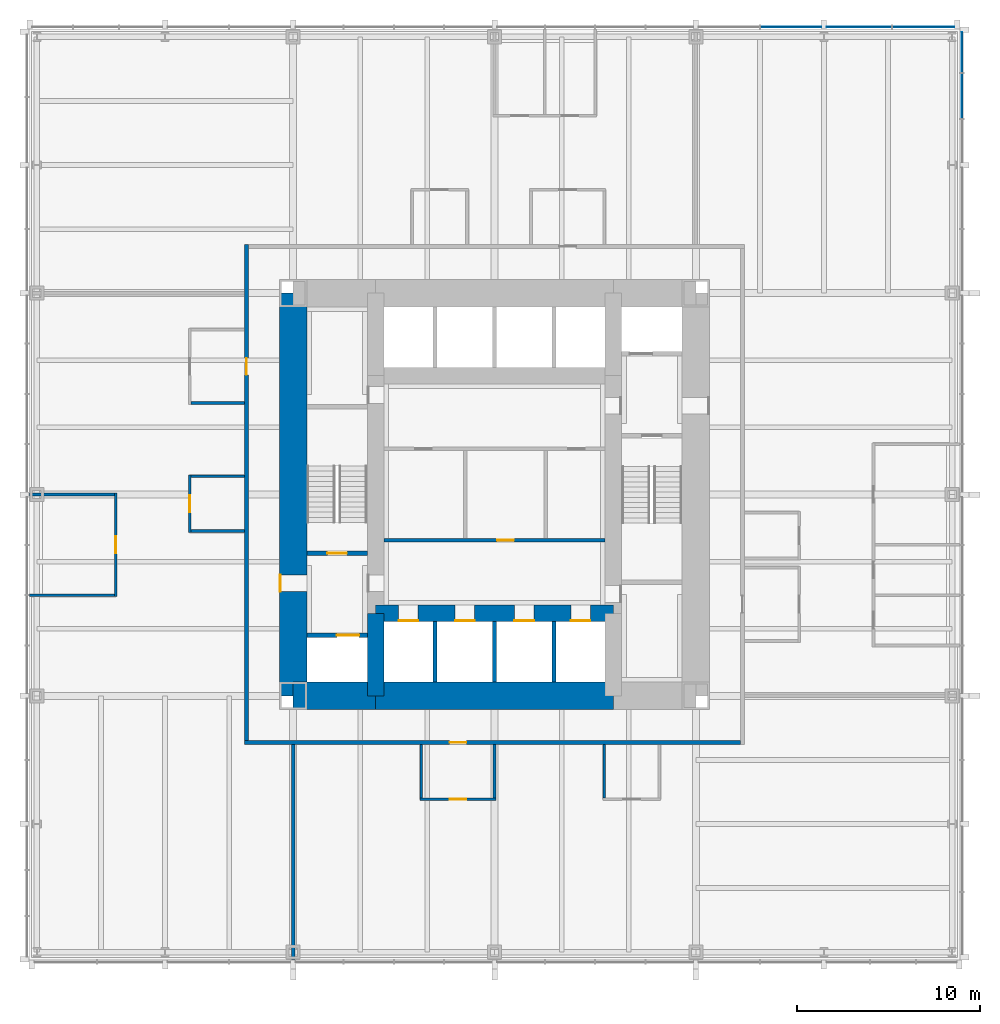
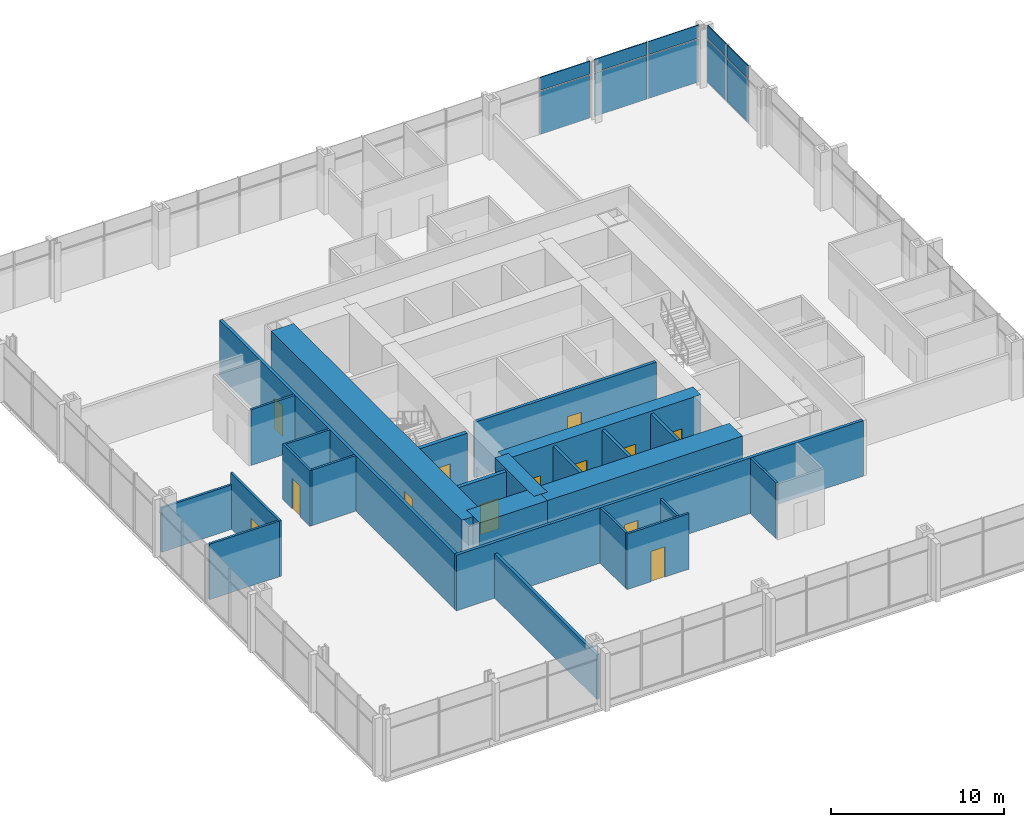
# One storey, part 9 of 12: 25 walls, 13 doors, 10 plates, 13 openings, 2 elements without a shape of their own.
"""IFC4 building model written with IfcOpenShell, lengths in metres."""

from ifc_helpers import new_model, si_unit, direction, frame, frame_2d, origin, origin_2d, place, context, subcontext, project, spatial, rectangle, extrude, material, layer, layer_set, type_object, element, fill, aggregate, save


model = new_model("IFC4")

# Units and contexts
model_context = context("Model", 3, precision=1e-05, world=origin(), true_north=direction((0.0, 1.0)))
body_context = subcontext(model_context, "Body", "Model", "MODEL_VIEW")
ifc_project = project(units=[si_unit("LENGTHUNIT", "METRE"), si_unit("AREAUNIT", "SQUARE_METRE"), si_unit("VOLUMEUNIT", "CUBIC_METRE"), si_unit("PLANEANGLEUNIT", "RADIAN"), si_unit("MASSUNIT", "GRAM", prefix="KILO")], contexts=[model_context])

# Site, building, storey
site_placement = place(None, origin())
site = spatial("IfcSite", under=ifc_project, at=site_placement, CompositionType="ELEMENT")
building_placement = place(site_placement, origin())
building = spatial("IfcBuilding", under=site, at=building_placement, Name="Trevanion Tower", CompositionType="ELEMENT")
storey_placement = place(building_placement, frame((0.0, 0.0, 20.10009765625)))
storey = spatial("IfcBuildingStorey", under=building, at=storey_placement, Name="L04", CompositionType="ELEMENT", Elevation=20.10009765625)

# Curtain wall, plates
ifc_material_1 = material(Name="Aluminium and glass", Category="aluminium")
curtain_wall_type = type_object("IfcCurtainWallType", Name="CW1 curtain wall", PredefinedType="USERDEFINED", material=ifc_material_1)
curtain_wall_1_placement = place(storey_placement, origin())
curtain_wall_1 = element("IfcCurtainWall", 1, at=curtain_wall_1_placement, inside=storey, type_object=curtain_wall_type, Name="CW1 L04 0", ObjectType="UNITISED CURTAIN WALL", PredefinedType="USERDEFINED")
ifc_material_2 = material(Name="Aluminium spandrel panel", Category="aluminium")
ifc_layer_1 = layer(ifc_material_2, 0.06005859375)
ifc_layer_set_1 = layer_set([ifc_layer_1], Name="CW1 spandrel panel")
plate_type_1 = type_object("IfcPlateType", Name="CW1 spandrel panel", PredefinedType="CURTAIN_PANEL", material=ifc_layer_set_1)
plate_1_placement = place(storey_placement, frame((25.550048828125, 21.77490234375, 2.997314453125), z_axis=(0.0, 0.0, 1.0), x_axis=(0.0, 1.0, 0.0)))
plate_1 = element("IfcPlate", 2, at=plate_1_placement, type_object=plate_type_1, Name="CW1 panel 16.2", PredefinedType="CURTAIN_PANEL", context=body_context, shape_type="SweptSolid", body=[
    extrude(rectangle(XDim=2.441650390625, YDim=0.06005859375, at=origin_2d()), origin(), (0.0, 0.0, 1.0), 0.91259765625),
])
plate_2_placement = place(storey_placement, frame((25.550048828125, 24.160400390625, 2.997314453125), z_axis=(0.0, 0.0, 1.0), x_axis=(0.0, 1.0, 0.0)))
plate_2 = element("IfcPlate", 3, at=plate_2_placement, type_object=plate_type_1, Name="CW1 panel 17.2", PredefinedType="CURTAIN_PANEL", context=body_context, shape_type="SweptSolid", body=[
    extrude(rectangle(XDim=2.17919921875, YDim=0.06005859375, at=origin_2d()), origin(), (0.0, 0.0, 1.0), 0.91259765625),
])

curtain_wall_2_placement = place(storey_placement, origin())
curtain_wall_2 = element("IfcCurtainWall", 4, at=curtain_wall_2_placement, inside=storey, type_object=curtain_wall_type, Name="CW1 L04 1", ObjectType="UNITISED CURTAIN WALL", PredefinedType="USERDEFINED")
plate_3_placement = place(storey_placement, frame((23.433837890625, 25.550048828125, 2.997314453125), z_axis=(0.0, 0.0, 1.0), x_axis=(-1.0, 0.0, 0.0)))
plate_3 = element("IfcPlate", 5, at=plate_3_placement, type_object=plate_type_1, Name="CW1 panel 1.2", PredefinedType="CURTAIN_PANEL", context=body_context, shape_type="SweptSolid", body=[
    extrude(rectangle(XDim=3.37255859375, YDim=0.06005859375, at=origin_2d()), origin(), (0.0, 0.0, 1.0), 0.91259765625),
])
plate_4_placement = place(storey_placement, frame((19.911376953125, 25.550048828125, 2.997314453125), z_axis=(0.0, 0.0, 1.0), x_axis=(-1.0, 0.0, 0.0)))
plate_4 = element("IfcPlate", 6, at=plate_4_placement, type_object=plate_type_1, Name="CW1 panel 2.2", PredefinedType="CURTAIN_PANEL", context=body_context, shape_type="SweptSolid", body=[
    extrude(rectangle(XDim=3.5224609375, YDim=0.06005859375, at=origin_2d()), origin(), (0.0, 0.0, 1.0), 0.91259765625),
])
plate_5_placement = place(storey_placement, frame((16.19384765625, 25.550048828125, 2.997314453125), z_axis=(0.0, 0.0, 1.0), x_axis=(-1.0, 0.0, 0.0)))
plate_5 = element("IfcPlate", 7, at=plate_5_placement, type_object=plate_type_1, Name="CW1 panel 3.2", PredefinedType="CURTAIN_PANEL", context=body_context, shape_type="SweptSolid", body=[
    extrude(rectangle(XDim=3.3125, YDim=0.06005859375, at=origin_2d()), origin(), (0.0, 0.0, 1.0), 0.91259765625),
])

# Plate
ifc_material_3 = material(Name="Insulating glass unit", Category="glass")
ifc_layer_2 = layer(ifc_material_3, 0.028076171875)
ifc_layer_set_2 = layer_set([ifc_layer_2], Name="CW1 vision panel")
plate_type_2 = type_object("IfcPlateType", Name="CW1 vision panel", PredefinedType="CURTAIN_PANEL", material=ifc_layer_set_2)
plate_6_placement = place(storey_placement, frame((25.550048828125, 21.77490234375, -0.114990234375), z_axis=(0.0, 0.0, 1.0), x_axis=(0.0, 1.0, 0.0)))
plate_6 = element("IfcPlate", 8, at=plate_6_placement, type_object=plate_type_2, Name="CW1 panel 16.1", PredefinedType="CURTAIN_PANEL", context=body_context, shape_type="SweptSolid", body=[
    extrude(rectangle(XDim=2.441650390625, YDim=0.028076171875, at=origin_2d()), origin(), (0.0, 0.0, 1.0), 3.03759765625),
])

plate_7_placement = place(storey_placement, frame((25.550048828125, 24.160400390625, -0.114990234375), z_axis=(0.0, 0.0, 1.0), x_axis=(0.0, 1.0, 0.0)))
plate_7 = element("IfcPlate", 9, at=plate_7_placement, type_object=plate_type_2, Name="CW1 panel 17.1", PredefinedType="CURTAIN_PANEL", context=body_context, shape_type="SweptSolid", body=[
    extrude(rectangle(XDim=2.17919921875, YDim=0.028076171875, at=origin_2d()), origin(), (0.0, 0.0, 1.0), 3.03759765625),
])

aggregate(curtain_wall_1, [plate_6, plate_1, plate_7, plate_2])

plate_8_placement = place(storey_placement, frame((23.433837890625, 25.550048828125, -0.114990234375), z_axis=(0.0, 0.0, 1.0), x_axis=(-1.0, 0.0, 0.0)))
plate_8 = element("IfcPlate", 10, at=plate_8_placement, type_object=plate_type_2, Name="CW1 panel 1.1", PredefinedType="CURTAIN_PANEL", context=body_context, shape_type="SweptSolid", body=[
    extrude(rectangle(XDim=3.37255859375, YDim=0.028076171875, at=origin_2d()), origin(), (0.0, 0.0, 1.0), 3.03759765625),
])

plate_9_placement = place(storey_placement, frame((19.911376953125, 25.550048828125, -0.114990234375), z_axis=(0.0, 0.0, 1.0), x_axis=(-1.0, 0.0, 0.0)))
plate_9 = element("IfcPlate", 11, at=plate_9_placement, type_object=plate_type_2, Name="CW1 panel 2.1", PredefinedType="CURTAIN_PANEL", context=body_context, shape_type="SweptSolid", body=[
    extrude(rectangle(XDim=3.5224609375, YDim=0.028076171875, at=origin_2d()), origin(), (0.0, 0.0, 1.0), 3.03759765625),
])

plate_10_placement = place(storey_placement, frame((16.19384765625, 25.550048828125, -0.114990234375), z_axis=(0.0, 0.0, 1.0), x_axis=(-1.0, 0.0, 0.0)))
plate_10 = element("IfcPlate", 12, at=plate_10_placement, type_object=plate_type_2, Name="CW1 panel 3.1", PredefinedType="CURTAIN_PANEL", context=body_context, shape_type="SweptSolid", body=[
    extrude(rectangle(XDim=3.3125, YDim=0.028076171875, at=origin_2d()), origin(), (0.0, 0.0, 1.0), 3.03759765625),
])

aggregate(curtain_wall_2, [plate_8, plate_3, plate_9, plate_4, plate_10, plate_5])

# Wall, opening, door
ifc_material_4 = material(Name="Concrete 10,000 psi", Category="concrete")
ifc_layer_3 = layer(ifc_material_4, 1.5)
ifc_layer_set_3 = layer_set([ifc_layer_3], Name="CW1 core wall 1500")
wall_type_1 = type_object("IfcWallType", Name="CW1 core wall 1500", PredefinedType="SHEAR", material=ifc_layer_set_3)
wall_1_placement = place(storey_placement, frame((-11.0, 11.0, 0.0), z_axis=(0.0, 0.0, 1.0), x_axis=(0.0, -1.0, 0.0)))
wall_1 = element("IfcWall", 13, at=wall_1_placement, inside=storey, type_object=wall_type_1, Name="CW1 CW L04", PredefinedType="SHEAR", context=body_context, shape_type="SweptSolid", body=[
    extrude(rectangle(XDim=22.0, YDim=1.5, at=frame_2d((11.0, 0.0))), origin(), (0.0, 0.0, 1.0), 4.099853515625),
])
opening_1_placement = place(wall_1_placement, frame((15.392578125, 0.0, 0.0)))
opening_1 = element("IfcOpeningElement", 14, at=opening_1_placement, cuts=wall_1, Name="Opening 04-002", PredefinedType="OPENING", context=body_context, shape_type="SweptSolid", body=[
    extrude(rectangle(XDim=0.9150390625, YDim=2.134033203125, at=frame_2d((0.45751953125, 1.06689453125))), frame((0.0, 0.760009765625, 0.0), z_axis=(0.0, -1.0, 0.0), x_axis=(1.0, 0.0, 0.0)), (0.0, 0.0, 1.0), 1.52001953125),
])
ifc_material_5 = material(Name="Hollow metal, fire rated", Category="steel")
door_type_1 = type_object("IfcDoorType", Name="D3 fire lift lobby door", OperationType="SINGLE_SWING_RIGHT", PredefinedType="DOOR", material=ifc_material_5)
door_1_placement = place(opening_1_placement, origin())
door_1 = element("IfcDoor", 15, at=door_1_placement, inside=storey, type_object=door_type_1, Name="Door 04-002", OperationType="SINGLE_SWING_RIGHT", OverallHeight=2.134033203125, OverallWidth=0.9150390625, PredefinedType="DOOR", context=body_context, shape_type="SweptSolid", body=[
    extrude(rectangle(XDim=0.9150390625, YDim=2.134033203125, at=frame_2d((0.45751953125, 1.06689453125))), frame((0.0, -0.6748046875, 0.0), z_axis=(0.0, -1.0, 0.0), x_axis=(1.0, 0.0, 0.0)), (0.0, 0.0, 1.0), 0.050048828125),
])
fill(opening_1, door_1)

# Walls
wall_2_placement = place(storey_placement, frame((-11.0, -11.0, 0.0), z_axis=(0.0, 0.0, 1.0), x_axis=(1.0, 0.0, 0.0)))
element("IfcWall", 16, at=wall_2_placement, inside=storey, type_object=wall_type_1, Name="CW1 CS1 L04", PredefinedType="SHEAR", context=body_context, shape_type="SweptSolid", body=[
    extrude(rectangle(XDim=4.5, YDim=1.5, at=frame_2d((2.25, 0.0))), origin(), (0.0, 0.0, 1.0), 4.099853515625),
])
wall_3_placement = place(storey_placement, frame((-6.5, -11.0, 0.0), z_axis=(0.0, 0.0, 1.0), x_axis=(1.0, 0.0, 0.0)))
element("IfcWall", 17, at=wall_3_placement, inside=storey, type_object=wall_type_1, Name="CW1 CS2 L04", PredefinedType="SHEAR", context=body_context, shape_type="SweptSolid", body=[
    extrude(rectangle(XDim=13.0, YDim=1.5, at=frame_2d((6.5, 0.0))), origin(), (0.0, 0.0, 1.0), 4.099853515625),
])
ifc_material_6 = material(Name="Concrete 10,000 psi", Category="concrete")
ifc_layer_4 = layer(ifc_material_6, 0.89990234375)
ifc_layer_set_4 = layer_set([ifc_layer_4], Name="CW2 core wall 900")
wall_type_2 = type_object("IfcWallType", Name="CW2 core wall 900", PredefinedType="SHEAR", material=ifc_layer_set_4)
wall_4_placement = place(storey_placement, frame((-6.5, -6.5, 0.0), z_axis=(0.0, 0.0, 1.0), x_axis=(0.0, -1.0, 0.0)))
element("IfcWall", 18, at=wall_4_placement, inside=storey, type_object=wall_type_2, Name="CW2 RW3 L04", PredefinedType="SHEAR", context=body_context, shape_type="SweptSolid", body=[
    extrude(rectangle(XDim=4.5, YDim=0.89990234375, at=frame_2d((2.25, 0.0))), origin(), (0.0, 0.0, 1.0), 4.099853515625),
])

# Wall, openings, doors
wall_5_placement = place(storey_placement, frame((-6.5, -6.5, 0.0), z_axis=(0.0, 0.0, 1.0), x_axis=(1.0, 0.0, 0.0)))
wall_5 = element("IfcWall", 19, at=wall_5_placement, inside=storey, type_object=wall_type_2, Name="CW2 RS L04", PredefinedType="SHEAR", context=body_context, shape_type="SweptSolid", body=[
    extrude(rectangle(XDim=13.0, YDim=0.89990234375, at=frame_2d((6.5, 0.0))), origin(), (0.0, 0.0, 1.0), 4.099853515625),
])
opening_2_placement = place(wall_5_placement, frame((1.2666015625, 0.0, 0.0)))
opening_2 = element("IfcOpeningElement", 20, at=opening_2_placement, cuts=wall_5, Name="Opening 04-011", PredefinedType="OPENING", context=body_context, shape_type="SweptSolid", body=[
    extrude(rectangle(XDim=1.06689453125, YDim=2.134033203125, at=frame_2d((0.533447265625, 1.06689453125))), frame((0.0, 0.4599609375, 0.0), z_axis=(0.0, -1.0, 0.0), x_axis=(1.0, 0.0, 0.0)), (0.0, 0.0, 1.0), 0.919921875),
])
opening_3_placement = place(wall_5_placement, frame((4.341552734375, 0.0, 0.0)))
opening_3 = element("IfcOpeningElement", 21, at=opening_3_placement, cuts=wall_5, Name="Opening 04-012", PredefinedType="OPENING", context=body_context, shape_type="SweptSolid", body=[
    extrude(rectangle(XDim=1.06689453125, YDim=2.134033203125, at=frame_2d((0.533447265625, 1.06689453125))), frame((0.0, 0.4599609375, 0.0), z_axis=(0.0, -1.0, 0.0), x_axis=(1.0, 0.0, 0.0)), (0.0, 0.0, 1.0), 0.919921875),
])
opening_4_placement = place(wall_5_placement, frame((7.591552734375, 0.0, 0.0)))
opening_4 = element("IfcOpeningElement", 22, at=opening_4_placement, cuts=wall_5, Name="Opening 04-013", PredefinedType="OPENING", context=body_context, shape_type="SweptSolid", body=[
    extrude(rectangle(XDim=1.06689453125, YDim=2.134033203125, at=frame_2d((0.533447265625, 1.06689453125))), frame((0.0, 0.4599609375, 0.0), z_axis=(0.0, -1.0, 0.0), x_axis=(1.0, 0.0, 0.0)), (0.0, 0.0, 1.0), 0.919921875),
])
opening_5_placement = place(wall_5_placement, frame((10.66650390625, 0.0, 0.0)))
opening_5 = element("IfcOpeningElement", 23, at=opening_5_placement, cuts=wall_5, Name="Opening 04-014", PredefinedType="OPENING", context=body_context, shape_type="SweptSolid", body=[
    extrude(rectangle(XDim=1.06689453125, YDim=2.134033203125, at=frame_2d((0.533447265625, 1.06689453125))), frame((0.0, 0.4599609375, 0.0), z_axis=(0.0, -1.0, 0.0), x_axis=(1.0, 0.0, 0.0)), (0.0, 0.0, 1.0), 0.919921875),
])
ifc_material_7 = material(Name="Stainless steel, fire rated", Category="steel")
door_type_2 = type_object("IfcDoorType", Name="LD1 lift landing door", OperationType="SLIDING_TO_LEFT", PredefinedType="DOOR", material=ifc_material_7)
door_2_placement = place(opening_2_placement, origin())
door_2 = element("IfcDoor", 24, at=door_2_placement, inside=storey, type_object=door_type_2, Name="Door 04-011", OperationType="SLIDING_TO_LEFT", OverallHeight=2.134033203125, OverallWidth=1.06689453125, PredefinedType="DOOR", context=body_context, shape_type="SweptSolid", body=[
    extrude(rectangle(XDim=1.06689453125, YDim=2.134033203125, at=frame_2d((0.533447265625, 1.06689453125))), frame((0.0, -0.375, 0.0), z_axis=(0.0, -1.0, 0.0), x_axis=(1.0, 0.0, 0.0)), (0.0, 0.0, 1.0), 0.050048828125),
])
fill(opening_2, door_2)
door_3_placement = place(opening_3_placement, origin())
door_3 = element("IfcDoor", 25, at=door_3_placement, inside=storey, type_object=door_type_2, Name="Door 04-012", OperationType="SLIDING_TO_LEFT", OverallHeight=2.134033203125, OverallWidth=1.06689453125, PredefinedType="DOOR", context=body_context, shape_type="SweptSolid", body=[
    extrude(rectangle(XDim=1.06689453125, YDim=2.134033203125, at=frame_2d((0.533447265625, 1.06689453125))), frame((0.0, -0.375, 0.0), z_axis=(0.0, -1.0, 0.0), x_axis=(1.0, 0.0, 0.0)), (0.0, 0.0, 1.0), 0.050048828125),
])
fill(opening_3, door_3)
door_4_placement = place(opening_4_placement, origin())
door_4 = element("IfcDoor", 26, at=door_4_placement, inside=storey, type_object=door_type_2, Name="Door 04-013", OperationType="SLIDING_TO_LEFT", OverallHeight=2.134033203125, OverallWidth=1.06689453125, PredefinedType="DOOR", context=body_context, shape_type="SweptSolid", body=[
    extrude(rectangle(XDim=1.06689453125, YDim=2.134033203125, at=frame_2d((0.533447265625, 1.06689453125))), frame((0.0, -0.375, 0.0), z_axis=(0.0, -1.0, 0.0), x_axis=(1.0, 0.0, 0.0)), (0.0, 0.0, 1.0), 0.050048828125),
])
fill(opening_4, door_4)
door_5_placement = place(opening_5_placement, origin())
door_5 = element("IfcDoor", 27, at=door_5_placement, inside=storey, type_object=door_type_2, Name="Door 04-014", OperationType="SLIDING_TO_LEFT", OverallHeight=2.134033203125, OverallWidth=1.06689453125, PredefinedType="DOOR", context=body_context, shape_type="SweptSolid", body=[
    extrude(rectangle(XDim=1.06689453125, YDim=2.134033203125, at=frame_2d((0.533447265625, 1.06689453125))), frame((0.0, -0.375, 0.0), z_axis=(0.0, -1.0, 0.0), x_axis=(1.0, 0.0, 0.0)), (0.0, 0.0, 1.0), 0.050048828125),
])
fill(opening_5, door_5)

# Wall, opening, door
ifc_material_8 = material(Name="Gypsum board on steel studs", Category="steel")
ifc_layer_5 = layer(ifc_material_8, 0.14990234375)
ifc_layer_set_5 = layer_set([ifc_layer_5], Name="PT1 partition 150")
wall_type_3 = type_object("IfcWallType", Name="PT1 partition 150", PredefinedType="PARTITIONING", material=ifc_layer_set_5)
wall_6_placement = place(storey_placement, frame((-20.699951171875, 0.074951171875, 0.0), z_axis=(0.0, 0.0, 1.0), x_axis=(0.0, -1.0, 0.0)))
wall_6 = element("IfcWall", 28, at=wall_6_placement, inside=storey, type_object=wall_type_3, Name="PT1 L04 FC2F", PredefinedType="PARTITIONING", context=body_context, shape_type="SweptSolid", body=[
    extrude(rectangle(XDim=5.64990234375, YDim=0.14990234375, at=frame_2d((2.824951171875, 0.0))), origin(), (0.0, 0.0, 1.0), 3.909912109375),
])
opening_6_placement = place(wall_6_placement, frame((2.367431640625, 0.0, 0.0)))
opening_6 = element("IfcOpeningElement", 29, at=opening_6_placement, cuts=wall_6, Name="Opening 04-023", PredefinedType="OPENING", context=body_context, shape_type="SweptSolid", body=[
    extrude(rectangle(XDim=0.9150390625, YDim=2.134033203125, at=frame_2d((0.45751953125, 1.06689453125))), frame((0.0, 0.0849609375, 0.0), z_axis=(0.0, -1.0, 0.0), x_axis=(1.0, 0.0, 0.0)), (0.0, 0.0, 1.0), 0.169921875),
])
ifc_material_9 = material(Name="Timber veneer, solid core", Category="wood")
door_type_3 = type_object("IfcDoorType", Name="D1 office and meeting room door", OperationType="SINGLE_SWING_LEFT", PredefinedType="DOOR", material=ifc_material_9)
door_6_placement = place(opening_6_placement, origin())
door_6 = element("IfcDoor", 30, at=door_6_placement, inside=storey, type_object=door_type_3, Name="Door 04-023", OperationType="SINGLE_SWING_LEFT", OverallHeight=2.134033203125, OverallWidth=0.9150390625, PredefinedType="DOOR", context=body_context, shape_type="SweptSolid", body=[
    extrude(rectangle(XDim=0.9150390625, YDim=2.134033203125, at=frame_2d((0.45751953125, 1.06689453125))), frame((0.0, 0.02490234375, 0.0), z_axis=(0.0, -1.0, 0.0), x_axis=(1.0, 0.0, 0.0)), (0.0, 0.0, 1.0), 0.050048828125),
])
fill(opening_6, door_6)

# Walls
wall_7_placement = place(storey_placement, frame((-20.77490234375, 0.0, 0.0), z_axis=(0.0, 0.0, 1.0), x_axis=(-1.0, 0.0, 0.0)))
element("IfcWall", 31, at=wall_7_placement, inside=storey, type_object=wall_type_3, Name="PT1 L04 FC2S0", PredefinedType="PARTITIONING", context=body_context, shape_type="SweptSolid", body=[
    extrude(rectangle(XDim=4.64013671875, YDim=0.14990234375, at=frame_2d((2.320068359375, 0.0))), origin(), (0.0, 0.0, 1.0), 3.130126953125),
])
wall_8_placement = place(storey_placement, frame((-20.77490234375, -5.5, 0.0), z_axis=(0.0, 0.0, 1.0), x_axis=(-1.0, 0.0, 0.0)))
element("IfcWall", 32, at=wall_8_placement, inside=storey, type_object=wall_type_3, Name="PT1 L04 FC2S2", PredefinedType="PARTITIONING", context=body_context, shape_type="SweptSolid", body=[
    extrude(rectangle(XDim=4.64013671875, YDim=0.14990234375, at=frame_2d((2.320068359375, 0.0))), origin(), (0.0, 0.0, 1.0), 3.909912109375),
])
wall_9_placement = place(storey_placement, frame((-16.574951171875, 5.0, 0.0), z_axis=(0.0, 0.0, 1.0), x_axis=(1.0, 0.0, 0.0)))
element("IfcWall", 33, at=wall_9_placement, inside=storey, type_object=wall_type_3, Name="PT1 L04 IN20S1", PredefinedType="PARTITIONING", context=body_context, shape_type="SweptSolid", body=[
    extrude(rectangle(XDim=2.925048828125, YDim=0.14990234375, at=frame_2d((1.46240234375, 0.0))), origin(), (0.0, 0.0, 1.0), 3.909912109375),
])

# Wall, opening, door
wall_10_placement = place(storey_placement, frame((-16.64990234375, 1.074951171875, 0.0), z_axis=(0.0, 0.0, 1.0), x_axis=(0.0, -1.0, 0.0)))
wall_10 = element("IfcWall", 34, at=wall_10_placement, inside=storey, type_object=wall_type_3, Name="PT1 L04 IN21F", PredefinedType="PARTITIONING", context=body_context, shape_type="SweptSolid", body=[
    extrude(rectangle(XDim=3.14990234375, YDim=0.14990234375, at=frame_2d((1.574951171875, 0.0))), origin(), (0.0, 0.0, 1.0), 3.909912109375),
])
opening_7_placement = place(wall_10_placement, frame((1.117431640625, 0.0, 0.0)))
opening_7 = element("IfcOpeningElement", 35, at=opening_7_placement, cuts=wall_10, Name="Opening 04-032", PredefinedType="OPENING", context=body_context, shape_type="SweptSolid", body=[
    extrude(rectangle(XDim=0.9150390625, YDim=2.134033203125, at=frame_2d((0.45751953125, 1.06689453125))), frame((0.0, 0.0849609375, 0.0), z_axis=(0.0, -1.0, 0.0), x_axis=(1.0, 0.0, 0.0)), (0.0, 0.0, 1.0), 0.169921875),
])
door_7_placement = place(opening_7_placement, origin())
door_7 = element("IfcDoor", 36, at=door_7_placement, inside=storey, type_object=door_type_3, Name="Door 04-032", OperationType="SINGLE_SWING_LEFT", OverallHeight=2.134033203125, OverallWidth=0.9150390625, PredefinedType="DOOR", context=body_context, shape_type="SweptSolid", body=[
    extrude(rectangle(XDim=0.9150390625, YDim=2.134033203125, at=frame_2d((0.45751953125, 1.06689453125))), frame((0.0, 0.02490234375, 0.0), z_axis=(0.0, -1.0, 0.0), x_axis=(1.0, 0.0, 0.0)), (0.0, 0.0, 1.0), 0.050048828125),
])
fill(opening_7, door_7)

# Walls
for number, where, z_axis, x_axis, name in (
    (37, (-16.574951171875, 1.0, 0.0), (0.0, 0.0, 1.0), (1.0, 0.0, 0.0), "PT1 L04 IN21S0"),
    (38, (-16.574951171875, -2.0, 0.0), (0.0, 0.0, 1.0), (1.0, 0.0, 0.0), "PT1 L04 IN21S1"),
):
    element("IfcWall", number, at=place(storey_placement, frame(where, z_axis=z_axis, x_axis=x_axis)), inside=storey, type_object=wall_type_3, Name=name, PredefinedType="PARTITIONING", context=body_context, shape_type="SweptSolid", body=[
        extrude(rectangle(XDim=2.925048828125, YDim=0.14990234375, at=frame_2d((1.46240234375, 0.0))), origin(), (0.0, 0.0, 1.0), 3.909912109375),
    ])

# Wall, opening, door
wall_11_placement = place(storey_placement, frame((-4.074951171875, -16.64990234375, 0.0), z_axis=(0.0, 0.0, 1.0), x_axis=(1.0, 0.0, 0.0)))
wall_11 = element("IfcWall", 39, at=wall_11_placement, inside=storey, type_object=wall_type_3, Name="PT1 L04 IN30F", PredefinedType="PARTITIONING", context=body_context, shape_type="SweptSolid", body=[
    extrude(rectangle(XDim=4.14990234375, YDim=0.14990234375, at=frame_2d((2.074951171875, 0.0))), origin(), (0.0, 0.0, 1.0), 3.909912109375),
])
opening_8_placement = place(wall_11_placement, frame((1.617431640625, 0.0, 0.0)))
opening_8 = element("IfcOpeningElement", 40, at=opening_8_placement, cuts=wall_11, Name="Opening 04-033", PredefinedType="OPENING", context=body_context, shape_type="SweptSolid", body=[
    extrude(rectangle(XDim=0.9150390625, YDim=2.134033203125, at=frame_2d((0.45751953125, 1.06689453125))), frame((0.0, 0.0849609375, 0.0), z_axis=(0.0, -1.0, 0.0), x_axis=(1.0, 0.0, 0.0)), (0.0, 0.0, 1.0), 0.169921875),
])
door_8_placement = place(opening_8_placement, origin())
door_8 = element("IfcDoor", 41, at=door_8_placement, inside=storey, type_object=door_type_3, Name="Door 04-033", OperationType="SINGLE_SWING_LEFT", OverallHeight=2.134033203125, OverallWidth=0.9150390625, PredefinedType="DOOR", context=body_context, shape_type="SweptSolid", body=[
    extrude(rectangle(XDim=0.9150390625, YDim=2.134033203125, at=frame_2d((0.45751953125, 1.06689453125))), frame((0.0, 0.02490234375, 0.0), z_axis=(0.0, -1.0, 0.0), x_axis=(1.0, 0.0, 0.0)), (0.0, 0.0, 1.0), 0.050048828125),
])
fill(opening_8, door_8)

# Walls
wall_12_placement = place(storey_placement, frame((-4.0, -16.574951171875, 0.0), z_axis=(0.0, 0.0, 1.0), x_axis=(0.0, 1.0, 0.0)))
element("IfcWall", 42, at=wall_12_placement, inside=storey, type_object=wall_type_3, Name="PT1 L04 IN30S0", PredefinedType="PARTITIONING", context=body_context, shape_type="SweptSolid", body=[
    extrude(rectangle(XDim=2.925048828125, YDim=0.14990234375, at=frame_2d((1.46240234375, 0.0))), origin(), (0.0, 0.0, 1.0), 3.909912109375),
])
wall_13_placement = place(storey_placement, frame((0.0, -16.574951171875, 0.0), z_axis=(0.0, 0.0, 1.0), x_axis=(0.0, 1.0, 0.0)))
element("IfcWall", 43, at=wall_13_placement, inside=storey, type_object=wall_type_3, Name="PT1 L04 IN30S1", PredefinedType="PARTITIONING", context=body_context, shape_type="SweptSolid", body=[
    extrude(rectangle(XDim=2.925048828125, YDim=0.14990234375, at=frame_2d((1.46240234375, 0.0))), origin(), (0.0, 0.0, 1.0), 3.130126953125),
])
wall_14_placement = place(storey_placement, frame((6.0, -16.574951171875, 0.0), z_axis=(0.0, 0.0, 1.0), x_axis=(0.0, 1.0, 0.0)))
element("IfcWall", 44, at=wall_14_placement, inside=storey, type_object=wall_type_3, Name="PT1 L04 IN31S0", PredefinedType="PARTITIONING", context=body_context, shape_type="SweptSolid", body=[
    extrude(rectangle(XDim=2.925048828125, YDim=0.14990234375, at=frame_2d((1.46240234375, 0.0))), origin(), (0.0, 0.0, 1.0), 3.909912109375),
])

# Wall, opening, door
ifc_material_10 = material(Name="Concrete masonry, grouted", Category="masonry")
ifc_layer_6 = layer(ifc_material_10, 0.199951171875)
ifc_layer_set_6 = layer_set([ifc_layer_6], Name="PT2 partition 200 1 HR")
wall_type_4 = type_object("IfcWallType", Name="PT2 partition 200 1 HR", PredefinedType="PARTITIONING", material=ifc_layer_set_6)
wall_15_placement = place(storey_placement, frame((6.050048828125, -2.5, 0.0), z_axis=(0.0, 0.0, 1.0), x_axis=(-1.0, 0.0, 0.0)))
wall_15 = element("IfcWall", 45, at=wall_15_placement, inside=storey, type_object=wall_type_4, Name="PT2 L04 CP2", PredefinedType="PARTITIONING", context=body_context, shape_type="SweptSolid", body=[
    extrude(rectangle(XDim=12.10009765625, YDim=0.199951171875, at=frame_2d((6.050048828125, 0.0))), origin(), (0.0, 0.0, 1.0), 3.909912109375),
])
opening_9_placement = place(wall_15_placement, frame((4.992431640625, 0.0, 0.0)))
opening_9 = element("IfcOpeningElement", 46, at=opening_9_placement, cuts=wall_15, Name="Opening 04-016", PredefinedType="OPENING", context=body_context, shape_type="SweptSolid", body=[
    extrude(rectangle(XDim=0.9150390625, YDim=2.134033203125, at=frame_2d((0.45751953125, 1.06689453125))), frame((0.0, 0.10986328125, 0.0), z_axis=(0.0, -1.0, 0.0), x_axis=(1.0, 0.0, 0.0)), (0.0, 0.0, 1.0), 0.219970703125),
])
ifc_material_11 = material(Name="Plastic laminate on fire-rated core", Category="wood")
door_type_4 = type_object("IfcDoorType", Name="D12 toilet door in a one hour wall", OperationType="SINGLE_SWING_LEFT", PredefinedType="DOOR", material=ifc_material_11)
door_9_placement = place(opening_9_placement, origin())
door_9 = element("IfcDoor", 47, at=door_9_placement, inside=storey, type_object=door_type_4, Name="Door 04-016", OperationType="SINGLE_SWING_LEFT", OverallHeight=2.134033203125, OverallWidth=0.9150390625, PredefinedType="DOOR", context=body_context, shape_type="SweptSolid", body=[
    extrude(rectangle(XDim=0.9150390625, YDim=2.134033203125, at=frame_2d((0.45751953125, 1.06689453125))), frame((0.0, 0.02490234375, 0.0), z_axis=(0.0, -1.0, 0.0), x_axis=(1.0, 0.0, 0.0)), (0.0, 0.0, 1.0), 0.050048828125),
])
fill(opening_9, door_9)

wall_16_placement = place(storey_placement, frame((-13.550048828125, 13.64990234375, 0.0), z_axis=(0.0, 0.0, 1.0), x_axis=(0.0, -1.0, 0.0)))
wall_16 = element("IfcWall", 48, at=wall_16_placement, inside=storey, type_object=wall_type_4, Name="PT2 L04 OC2", PredefinedType="PARTITIONING", context=body_context, shape_type="SweptSolid", body=[
    extrude(rectangle(XDim=27.099853515625, YDim=0.199951171875, at=frame_2d((13.5498046875, 0.0))), origin(), (0.0, 0.0, 1.0), 3.909912109375),
])
opening_10_placement = place(wall_16_placement, frame((6.1923828125, 0.0, 0.0)))
opening_10 = element("IfcOpeningElement", 49, at=opening_10_placement, cuts=wall_16, Name="Opening 04-031", PredefinedType="OPENING", context=body_context, shape_type="SweptSolid", body=[
    extrude(rectangle(XDim=0.9150390625, YDim=2.134033203125, at=frame_2d((0.45751953125, 1.06689453125))), frame((0.0, 0.10986328125, 0.0), z_axis=(0.0, -1.0, 0.0), x_axis=(1.0, 0.0, 0.0)), (0.0, 0.0, 1.0), 0.219970703125),
])
ifc_material_12 = material(Name="Timber veneer, fire rated", Category="wood")
door_type_5 = type_object("IfcDoorType", Name="D10 office door in a one hour wall", OperationType="SINGLE_SWING_LEFT", PredefinedType="DOOR", material=ifc_material_12)
door_10_placement = place(opening_10_placement, origin())
door_10 = element("IfcDoor", 50, at=door_10_placement, inside=storey, type_object=door_type_5, Name="Door 04-031", OperationType="SINGLE_SWING_LEFT", OverallHeight=2.134033203125, OverallWidth=0.9150390625, PredefinedType="DOOR", context=body_context, shape_type="SweptSolid", body=[
    extrude(rectangle(XDim=0.9150390625, YDim=2.134033203125, at=frame_2d((0.45751953125, 1.06689453125))), frame((0.0, 0.02490234375, 0.0), z_axis=(0.0, -1.0, 0.0), x_axis=(1.0, 0.0, 0.0)), (0.0, 0.0, 1.0), 0.050048828125),
])
fill(opening_10, door_10)

wall_17_placement = place(storey_placement, frame((-13.64990234375, -13.550048828125, 0.0), z_axis=(0.0, 0.0, 1.0), x_axis=(1.0, 0.0, 0.0)))
wall_17 = element("IfcWall", 51, at=wall_17_placement, inside=storey, type_object=wall_type_4, Name="PT2 L04 OC3", PredefinedType="PARTITIONING", context=body_context, shape_type="SweptSolid", body=[
    extrude(rectangle(XDim=27.099853515625, YDim=0.199951171875, at=frame_2d((13.5498046875, 0.0))), origin(), (0.0, 0.0, 1.0), 3.909912109375),
])
opening_11_placement = place(wall_17_placement, frame((11.1923828125, 0.0, 0.0)))
opening_11 = element("IfcOpeningElement", 52, at=opening_11_placement, cuts=wall_17, Name="Opening 04-034", PredefinedType="OPENING", context=body_context, shape_type="SweptSolid", body=[
    extrude(rectangle(XDim=0.9150390625, YDim=2.134033203125, at=frame_2d((0.45751953125, 1.06689453125))), frame((0.0, 0.10986328125, 0.0), z_axis=(0.0, -1.0, 0.0), x_axis=(1.0, 0.0, 0.0)), (0.0, 0.0, 1.0), 0.219970703125),
])
door_11_placement = place(opening_11_placement, origin())
door_11 = element("IfcDoor", 53, at=door_11_placement, inside=storey, type_object=door_type_5, Name="Door 04-034", OperationType="SINGLE_SWING_LEFT", OverallHeight=2.134033203125, OverallWidth=0.9150390625, PredefinedType="DOOR", context=body_context, shape_type="SweptSolid", body=[
    extrude(rectangle(XDim=0.9150390625, YDim=2.134033203125, at=frame_2d((0.45751953125, 1.06689453125))), frame((0.0, 0.02490234375, 0.0), z_axis=(0.0, -1.0, 0.0), x_axis=(1.0, 0.0, 0.0)), (0.0, 0.0, 1.0), 0.050048828125),
])
fill(opening_11, door_11)

# Walls
wall_18_placement = place(storey_placement, frame((-11.0, -13.64990234375, 0.0), z_axis=(0.0, 0.0, 1.0), x_axis=(0.0, -1.0, 0.0)))
element("IfcWall", 54, at=wall_18_placement, inside=storey, type_object=wall_type_4, Name="PT2 L04 DM2", PredefinedType="PARTITIONING", context=body_context, shape_type="SweptSolid", body=[
    extrude(rectangle(XDim=11.76513671875, YDim=0.199951171875, at=frame_2d((5.882568359375, 0.0))), origin(), (0.0, 0.0, 1.0), 3.130126953125),
])
ifc_material_13 = material(Name="Concrete masonry, grouted", Category="masonry")
ifc_layer_7 = layer(ifc_material_13, 0.199951171875)
ifc_layer_set_7 = layer_set([ifc_layer_7], Name="PT2 partition 200 2 HR")
wall_type_5 = type_object("IfcWallType", Name="PT2 partition 200 2 HR", PredefinedType="PARTITIONING", material=ifc_layer_set_7)
for number, where, z_axis, x_axis, name in (
    (55, (-3.25, -10.25, 0.0), (0.0, 0.0, 1.0), (0.0, 1.0, 0.0), "PT2 L04 SS0"),
    (56, (0.0, -10.25, 0.0), (0.0, 0.0, 1.0), (0.0, 1.0, 0.0), "PT2 L04 SS1"),
    (57, (3.25, -10.25, 0.0), (0.0, 0.0, 1.0), (0.0, 1.0, 0.0), "PT2 L04 SS2"),
):
    element("IfcWall", number, at=place(storey_placement, frame(where, z_axis=z_axis, x_axis=x_axis)), inside=storey, type_object=wall_type_5, Name=name, PredefinedType="PARTITIONING", context=body_context, shape_type="SweptSolid", body=[
        extrude(rectangle(XDim=3.300048828125, YDim=0.199951171875, at=frame_2d((1.64990234375, 0.0))), origin(), (0.0, 0.0, 1.0), 3.909912109375),
    ])

# Wall, opening, door
ifc_material_14 = material(Name="Concrete masonry, grouted, two-hour", Category="masonry")
ifc_layer_8 = layer(ifc_material_14, 0.25)
ifc_layer_set_8 = layer_set([ifc_layer_8], Name="PT3 partition 250 2 HR")
wall_type_6 = type_object("IfcWallType", Name="PT3 partition 250 2 HR", PredefinedType="PARTITIONING", material=ifc_layer_set_8)
wall_19_placement = place(storey_placement, frame((-6.949951171875, -7.699951171875, 0.0), z_axis=(0.0, 0.0, 1.0), x_axis=(-1.0, 0.0, 0.0)))
wall_19 = element("IfcWall", 58, at=wall_19_placement, inside=storey, type_object=wall_type_6, Name="PT3 L04 WP3", PredefinedType="PARTITIONING", context=body_context, shape_type="SweptSolid", body=[
    extrude(rectangle(XDim=3.300048828125, YDim=0.25, at=frame_2d((1.64990234375, 0.0))), origin(), (0.0, 0.0, 1.0), 3.909912109375),
])
opening_12_placement = place(wall_19_placement, frame((0.449951171875, 0.0, 0.0)))
opening_12 = element("IfcOpeningElement", 59, at=opening_12_placement, cuts=wall_19, Name="Opening 04-008", PredefinedType="OPENING", context=body_context, shape_type="SweptSolid", body=[
    extrude(rectangle(XDim=1.218994140625, YDim=2.134033203125, at=frame_2d((0.609375, 1.06689453125))), frame((0.0, 0.135009765625, 0.0), z_axis=(0.0, -1.0, 0.0), x_axis=(1.0, 0.0, 0.0)), (0.0, 0.0, 1.0), 0.27001953125),
])
ifc_material_15 = material(Name="Stainless steel, fire rated", Category="steel")
door_type_6 = type_object("IfcDoorType", Name="LD2 fire service lift landing door", OperationType="SLIDING_TO_LEFT", PredefinedType="DOOR", material=ifc_material_15)
door_12_placement = place(opening_12_placement, origin())
door_12 = element("IfcDoor", 60, at=door_12_placement, inside=storey, type_object=door_type_6, Name="Door 04-008", OperationType="SLIDING_TO_LEFT", OverallHeight=2.134033203125, OverallWidth=1.218994140625, PredefinedType="DOOR", context=body_context, shape_type="SweptSolid", body=[
    extrude(rectangle(XDim=1.218994140625, YDim=2.134033203125, at=frame_2d((0.609375, 1.06689453125))), frame((0.0, 0.02490234375, 0.0), z_axis=(0.0, -1.0, 0.0), x_axis=(1.0, 0.0, 0.0)), (0.0, 0.0, 1.0), 0.050048828125),
])
fill(opening_12, door_12)

ifc_material_16 = material(Name="Reinforced masonry, fully grouted", Category="masonry")
ifc_layer_9 = layer(ifc_material_16, 0.25)
ifc_layer_set_9 = layer_set([ifc_layer_9], Name="SW1 stair shaft wall 250")
wall_type_7 = type_object("IfcWallType", Name="SW1 stair shaft wall 250", PredefinedType="SOLIDWALL", material=ifc_layer_set_9)
wall_20_placement = place(storey_placement, frame((-6.949951171875, -3.199951171875, 0.0), z_axis=(0.0, 0.0, 1.0), x_axis=(-1.0, 0.0, 0.0)))
wall_20 = element("IfcWall", 61, at=wall_20_placement, inside=storey, type_object=wall_type_7, Name="SW1 L04 WP2", PredefinedType="SOLIDWALL", context=body_context, shape_type="SweptSolid", body=[
    extrude(rectangle(XDim=3.300048828125, YDim=0.25, at=frame_2d((1.64990234375, 0.0))), origin(), (0.0, 0.0, 1.0), 3.909912109375),
])
opening_13_placement = place(wall_20_placement, frame((1.116455078125, 0.0, 0.0)))
opening_13 = element("IfcOpeningElement", 62, at=opening_13_placement, cuts=wall_20, Name="Opening 04-006", PredefinedType="OPENING", context=body_context, shape_type="SweptSolid", body=[
    extrude(rectangle(XDim=1.06689453125, YDim=2.134033203125, at=frame_2d((0.533447265625, 1.06689453125))), frame((0.0, 0.135009765625, 0.0), z_axis=(0.0, -1.0, 0.0), x_axis=(1.0, 0.0, 0.0)), (0.0, 0.0, 1.0), 0.27001953125),
])
ifc_material_17 = material(Name="Hollow metal, fire rated", Category="steel")
door_type_7 = type_object("IfcDoorType", Name="D2 exit stair door", OperationType="SINGLE_SWING_LEFT", PredefinedType="DOOR", material=ifc_material_17)
door_13_placement = place(opening_13_placement, origin())
door_13 = element("IfcDoor", 63, at=door_13_placement, inside=storey, type_object=door_type_7, Name="Door 04-006", OperationType="SINGLE_SWING_LEFT", OverallHeight=2.134033203125, OverallWidth=1.06689453125, PredefinedType="DOOR", context=body_context, shape_type="SweptSolid", body=[
    extrude(rectangle(XDim=1.06689453125, YDim=2.134033203125, at=frame_2d((0.533447265625, 1.06689453125))), frame((0.0, 0.02490234375, 0.0), z_axis=(0.0, -1.0, 0.0), x_axis=(1.0, 0.0, 0.0)), (0.0, 0.0, 1.0), 0.050048828125),
])
fill(opening_13, door_13)

save(model, "model.ifc")
